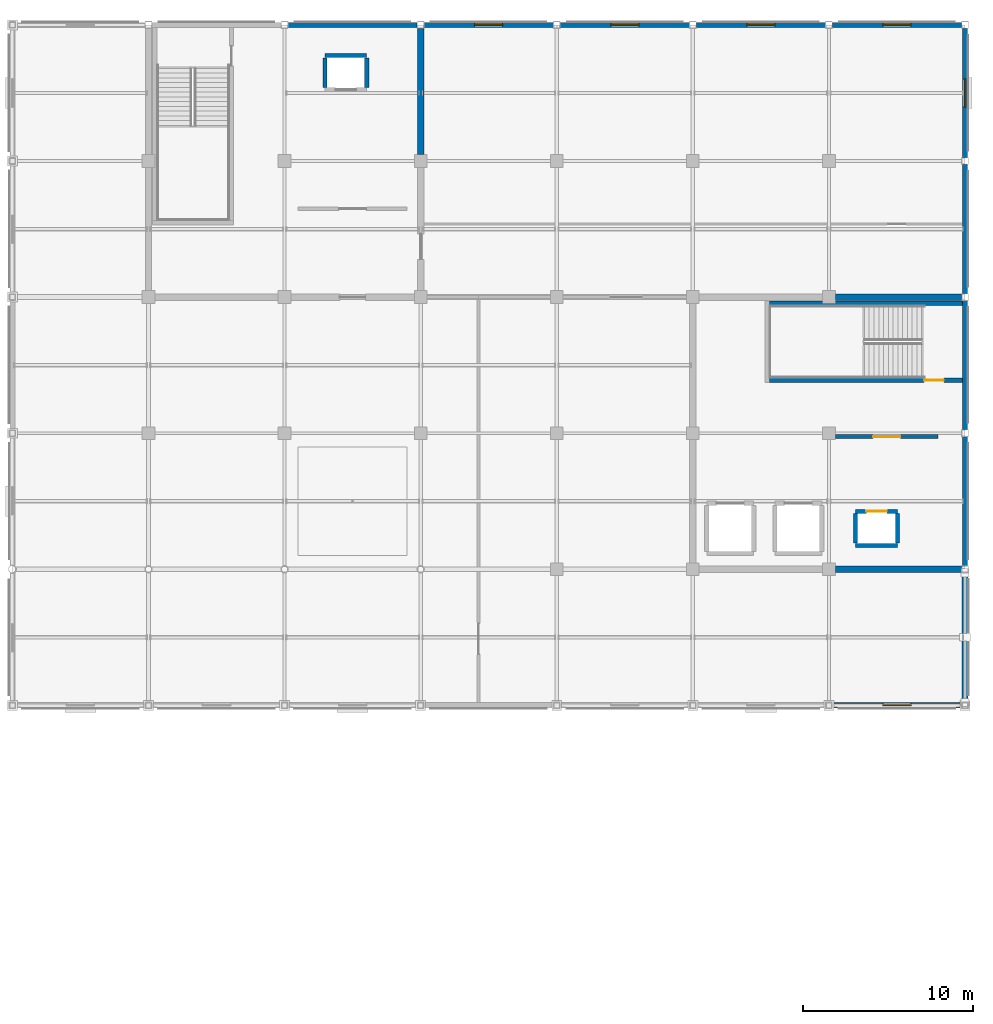
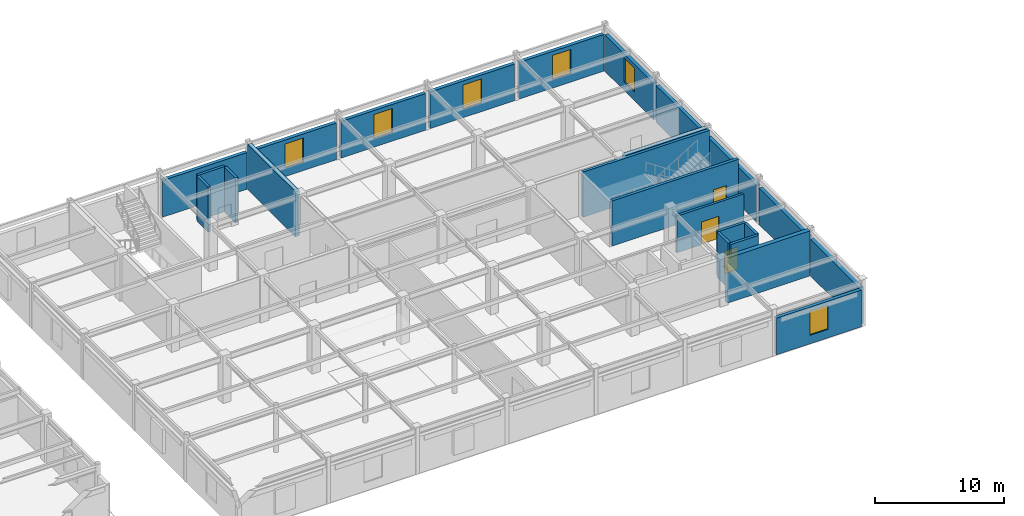
# One storey, part 64 of 93: 24 walls, 6 windows, 3 doors, 9 openings.
"""IFC4 building model written with IfcOpenShell, lengths in metres."""

from ifc_helpers import new_model, si_unit, direction, frame, frame_2d, origin, place, context, subcontext, project, spatial, rectangle, extrude, material, layer, layer_set, type_object, element, fill, save


model = new_model("IFC4")

# Units and contexts
model_context = context("Model", 3, precision=1e-05, world=origin(), true_north=direction((0.0, 1.0)))
body_context = subcontext(model_context, "Body", "Model", "MODEL_VIEW")
ifc_project = project(units=[si_unit("LENGTHUNIT", "METRE"), si_unit("AREAUNIT", "SQUARE_METRE"), si_unit("VOLUMEUNIT", "CUBIC_METRE"), si_unit("PLANEANGLEUNIT", "RADIAN"), si_unit("MASSUNIT", "GRAM", prefix="KILO")], contexts=[model_context])

# Site, building, storey
site_placement = place(None, origin())
site = spatial("IfcSite", under=ifc_project, at=site_placement, CompositionType="ELEMENT")
building_placement = place(site_placement, origin())
building = spatial("IfcBuilding", under=site, at=building_placement, Name="Solmirada Galleria", CompositionType="ELEMENT")
storey_placement = place(building_placement, frame((0.0, 0.0, 14.89990234375)))
storey = spatial("IfcBuildingStorey", under=building, at=storey_placement, Name="L03", CompositionType="ELEMENT", Elevation=14.89990234375)

# Walls
ifc_material_1 = material(Name="Concrete C40/50", Category="concrete")
ifc_layer_1 = layer(ifc_material_1, 0.3798828125)
ifc_layer_set_1 = layer_set([ifc_layer_1], Name="Concrete C40/50")
wall_type_1 = type_object("IfcWallType", Name="WL-CORE-380", PredefinedType="SHEAR", material=ifc_layer_set_1)
for number, where, z_axis, x_axis, name in (
    (1, (144.0, 112.375, 0.0), (0.0, 0.0, 1.0), (0.0, 1.0, 0.0), "Core C3 shear wall L03 E2"),
    (2, (168.375, 88.0, 0.0), (0.0, 0.0, 1.0), (1.0, 0.0, 0.0), "Core C4 shear wall L03 S2"),
    (3, (168.375, 104.0, 0.0), (0.0, 0.0, 1.0), (1.0, 0.0, 0.0), "Core C4 shear wall L03 N2"),
):
    element("IfcWall", number, at=place(storey_placement, frame(where, z_axis=z_axis, x_axis=x_axis)), inside=storey, type_object=wall_type_1, Name=name, PredefinedType="SHEAR", context=body_context, shape_type="SweptSolid", body=[
        extrude(rectangle(XDim=7.422119140625, YDim=0.3798828125, at=frame_2d((3.7109375, 0.0))), origin(), (0.0, 0.0, 1.0), 4.280029296875),
    ])

# Wall, opening, window
ifc_material_2 = material(Name="Precast concrete C40/50", Category="concrete")
ifc_layer_2 = layer(ifc_material_2, 0.31005859375)
ifc_layer_set_2 = layer_set([ifc_layer_2], Name="Precast concrete C40/50")
wall_type_2 = type_object("IfcWallType", Name="WL-EXT-310", PredefinedType="STANDARD", material=ifc_layer_set_2)
wall_1_placement = place(storey_placement, frame((152.202880859375, 120.0, 0.0), z_axis=(0.0, 0.0, 1.0), x_axis=(1.0, 0.0, 0.0)))
wall_1 = element("IfcWall", 4, at=wall_1_placement, inside=storey, type_object=wall_type_2, Name="Exterior wall L03 bay 073", PredefinedType="STANDARD", context=body_context, shape_type="SweptSolid", body=[
    extrude(rectangle(XDim=7.59423828125, YDim=0.31005859375, at=frame_2d((3.797119140625, 0.0))), origin(), (0.0, 0.0, 1.0), 3.47998046875),
])
opening_1_placement = place(wall_1_placement, frame((2.971923828125, 0.0, 0.800048828125)))
opening_1 = element("IfcOpeningElement", 5, at=opening_1_placement, cuts=wall_1, Name="Opening WN26", PredefinedType="OPENING", context=body_context, shape_type="SweptSolid", body=[
    extrude(rectangle(XDim=1.64990234375, YDim=2.300048828125, at=frame_2d((0.824951171875, 1.14990234375))), frame((0.0, 0.1650390625, 0.0), z_axis=(0.0, -1.0, 0.0), x_axis=(1.0, 0.0, 0.0)), (0.0, 0.0, 1.0), 0.330078125),
])
ifc_material_3 = material(Name="Impact-resistant low-E double glazing", Category="glass")
window_type = type_object("IfcWindowType", Name="WIN-ARCH-165X230", PartitioningType="DOUBLE_PANEL_HORIZONTAL", PredefinedType="WINDOW", material=ifc_material_3)
window_1_placement = place(opening_1_placement, origin())
window_1 = element("IfcWindow", 6, at=window_1_placement, inside=storey, type_object=window_type, Name="Window L03-097", OverallHeight=2.300048828125, OverallWidth=1.64990234375, PartitioningType="DOUBLE_PANEL_HORIZONTAL", PredefinedType="WINDOW", context=body_context, shape_type="SweptSolid", body=[
    extrude(rectangle(XDim=1.64990234375, YDim=2.300048828125, at=frame_2d((0.824951171875, 1.14990234375))), frame((0.0, 0.030029296875, 0.0), z_axis=(0.0, -1.0, 0.0), x_axis=(1.0, 0.0, 0.0)), (0.0, 0.0, 1.0), 0.06005859375),
])
fill(opening_1, window_1)

wall_2_placement = place(storey_placement, frame((160.202880859375, 120.0, 0.0), z_axis=(0.0, 0.0, 1.0), x_axis=(1.0, 0.0, 0.0)))
wall_2 = element("IfcWall", 7, at=wall_2_placement, inside=storey, type_object=wall_type_2, Name="Exterior wall L03 bay 074", PredefinedType="STANDARD", context=body_context, shape_type="SweptSolid", body=[
    extrude(rectangle(XDim=7.59423828125, YDim=0.31005859375, at=frame_2d((3.797119140625, 0.0))), origin(), (0.0, 0.0, 1.0), 3.47998046875),
])
opening_2_placement = place(wall_2_placement, frame((2.971923828125, 0.0, 0.800048828125)))
opening_2 = element("IfcOpeningElement", 8, at=opening_2_placement, cuts=wall_2, Name="Opening WN26", PredefinedType="OPENING", context=body_context, shape_type="SweptSolid", body=[
    extrude(rectangle(XDim=1.64990234375, YDim=2.300048828125, at=frame_2d((0.824951171875, 1.14990234375))), frame((0.0, 0.1650390625, 0.0), z_axis=(0.0, -1.0, 0.0), x_axis=(1.0, 0.0, 0.0)), (0.0, 0.0, 1.0), 0.330078125),
])
window_2_placement = place(opening_2_placement, origin())
window_2 = element("IfcWindow", 9, at=window_2_placement, inside=storey, type_object=window_type, Name="Window L03-098", OverallHeight=2.300048828125, OverallWidth=1.64990234375, PartitioningType="DOUBLE_PANEL_HORIZONTAL", PredefinedType="WINDOW", context=body_context, shape_type="SweptSolid", body=[
    extrude(rectangle(XDim=1.64990234375, YDim=2.300048828125, at=frame_2d((0.824951171875, 1.14990234375))), frame((0.0, 0.030029296875, 0.0), z_axis=(0.0, -1.0, 0.0), x_axis=(1.0, 0.0, 0.0)), (0.0, 0.0, 1.0), 0.06005859375),
])
fill(opening_2, window_2)

wall_3_placement = place(storey_placement, frame((168.202880859375, 120.0, 0.0), z_axis=(0.0, 0.0, 1.0), x_axis=(1.0, 0.0, 0.0)))
wall_3 = element("IfcWall", 10, at=wall_3_placement, inside=storey, type_object=wall_type_2, Name="Exterior wall L03 bay 075", PredefinedType="STANDARD", context=body_context, shape_type="SweptSolid", body=[
    extrude(rectangle(XDim=7.59423828125, YDim=0.31005859375, at=frame_2d((3.797119140625, 0.0))), origin(), (0.0, 0.0, 1.0), 3.47998046875),
])
opening_3_placement = place(wall_3_placement, frame((2.971923828125, 0.0, 0.800048828125)))
opening_3 = element("IfcOpeningElement", 11, at=opening_3_placement, cuts=wall_3, Name="Opening WN26", PredefinedType="OPENING", context=body_context, shape_type="SweptSolid", body=[
    extrude(rectangle(XDim=1.64990234375, YDim=2.300048828125, at=frame_2d((0.824951171875, 1.14990234375))), frame((0.0, 0.1650390625, 0.0), z_axis=(0.0, -1.0, 0.0), x_axis=(1.0, 0.0, 0.0)), (0.0, 0.0, 1.0), 0.330078125),
])
window_3_placement = place(opening_3_placement, origin())
window_3 = element("IfcWindow", 12, at=window_3_placement, inside=storey, type_object=window_type, Name="Window L03-099", OverallHeight=2.300048828125, OverallWidth=1.64990234375, PartitioningType="DOUBLE_PANEL_HORIZONTAL", PredefinedType="WINDOW", context=body_context, shape_type="SweptSolid", body=[
    extrude(rectangle(XDim=1.64990234375, YDim=2.300048828125, at=frame_2d((0.824951171875, 1.14990234375))), frame((0.0, 0.030029296875, 0.0), z_axis=(0.0, -1.0, 0.0), x_axis=(1.0, 0.0, 0.0)), (0.0, 0.0, 1.0), 0.06005859375),
])
fill(opening_3, window_3)

wall_4_placement = place(storey_placement, frame((176.0, 119.797119140625, 0.0), z_axis=(0.0, 0.0, 1.0), x_axis=(0.0, -1.0, 0.0)))
wall_4 = element("IfcWall", 13, at=wall_4_placement, inside=storey, type_object=wall_type_2, Name="Exterior wall L03 bay 076", PredefinedType="STANDARD", context=body_context, shape_type="SweptSolid", body=[
    extrude(rectangle(XDim=7.59423828125, YDim=0.31005859375, at=frame_2d((3.797119140625, 0.0))), origin(), (0.0, 0.0, 1.0), 3.47998046875),
])
opening_4_placement = place(wall_4_placement, frame((2.971923828125, 0.0, 0.800048828125)))
opening_4 = element("IfcOpeningElement", 14, at=opening_4_placement, cuts=wall_4, Name="Opening WN26", PredefinedType="OPENING", context=body_context, shape_type="SweptSolid", body=[
    extrude(rectangle(XDim=1.64990234375, YDim=2.300048828125, at=frame_2d((0.824951171875, 1.14990234375))), frame((0.0, 0.1650390625, 0.0), z_axis=(0.0, -1.0, 0.0), x_axis=(1.0, 0.0, 0.0)), (0.0, 0.0, 1.0), 0.330078125),
])
window_4_placement = place(opening_4_placement, origin())
window_4 = element("IfcWindow", 15, at=window_4_placement, inside=storey, type_object=window_type, Name="Window L03-100", OverallHeight=2.300048828125, OverallWidth=1.64990234375, PartitioningType="DOUBLE_PANEL_HORIZONTAL", PredefinedType="WINDOW", context=body_context, shape_type="SweptSolid", body=[
    extrude(rectangle(XDim=1.64990234375, YDim=2.300048828125, at=frame_2d((0.824951171875, 1.14990234375))), frame((0.0, 0.030029296875, 0.0), z_axis=(0.0, -1.0, 0.0), x_axis=(1.0, 0.0, 0.0)), (0.0, 0.0, 1.0), 0.06005859375),
])
fill(opening_4, window_4)

# Walls
for number, where, z_axis, x_axis, name in (
    (16, (176.0, 111.797119140625, 0.0), (0.0, 0.0, 1.0), (0.0, -1.0, 0.0), "Exterior wall L03 bay 077"),
    (17, (176.0, 103.797119140625, 0.0), (0.0, 0.0, 1.0), (0.0, -1.0, 0.0), "Exterior wall L03 bay 078"),
    (18, (176.0, 95.797119140625, 0.0), (0.0, 0.0, 1.0), (0.0, -1.0, 0.0), "Exterior wall L03 bay 079"),
):
    element("IfcWall", number, at=place(storey_placement, frame(where, z_axis=z_axis, x_axis=x_axis)), inside=storey, type_object=wall_type_2, Name=name, PredefinedType="STANDARD", context=body_context, shape_type="SweptSolid", body=[
        extrude(rectangle(XDim=7.59423828125, YDim=0.31005859375, at=frame_2d((3.797119140625, 0.0))), origin(), (0.0, 0.0, 1.0), 3.47998046875),
    ])

# Wall, opening, window
wall_5_placement = place(storey_placement, frame((175.822021484375, 80.0, 0.0), z_axis=(0.0, 0.0, 1.0), x_axis=(-1.0, 0.0, 0.0)))
wall_5 = element("IfcWall", 19, at=wall_5_placement, inside=storey, type_object=wall_type_2, Name="Exterior wall L03 bay 081", PredefinedType="STANDARD", context=body_context, shape_type="SweptSolid", body=[
    extrude(rectangle(XDim=7.64404296875, YDim=0.31005859375, at=frame_2d((3.822021484375, 0.0))), origin(), (0.0, 0.0, 1.0), 3.47998046875),
])
opening_5_placement = place(wall_5_placement, frame((2.9970703125, 0.0, 0.800048828125)))
opening_5 = element("IfcOpeningElement", 20, at=opening_5_placement, cuts=wall_5, Name="Opening WN26", PredefinedType="OPENING", context=body_context, shape_type="SweptSolid", body=[
    extrude(rectangle(XDim=1.64990234375, YDim=2.300048828125, at=frame_2d((0.824951171875, 1.14990234375))), frame((0.0, 0.1650390625, 0.0), z_axis=(0.0, -1.0, 0.0), x_axis=(1.0, 0.0, 0.0)), (0.0, 0.0, 1.0), 0.330078125),
])
window_5_placement = place(opening_5_placement, origin())
window_5 = element("IfcWindow", 21, at=window_5_placement, inside=storey, type_object=window_type, Name="Window L03-101", OverallHeight=2.300048828125, OverallWidth=1.64990234375, PartitioningType="DOUBLE_PANEL_HORIZONTAL", PredefinedType="WINDOW", context=body_context, shape_type="SweptSolid", body=[
    extrude(rectangle(XDim=1.64990234375, YDim=2.300048828125, at=frame_2d((0.824951171875, 1.14990234375))), frame((0.0, 0.030029296875, 0.0), z_axis=(0.0, -1.0, 0.0), x_axis=(1.0, 0.0, 0.0)), (0.0, 0.0, 1.0), 0.06005859375),
])
fill(opening_5, window_5)

# Wall
wall_6_placement = place(storey_placement, frame((136.202880859375, 120.0, 0.0), z_axis=(0.0, 0.0, 1.0), x_axis=(1.0, 0.0, 0.0)))
element("IfcWall", 22, at=wall_6_placement, inside=storey, type_object=wall_type_2, Name="Exterior wall L03 bay 095", PredefinedType="STANDARD", context=body_context, shape_type="SweptSolid", body=[
    extrude(rectangle(XDim=7.59423828125, YDim=0.31005859375, at=frame_2d((3.797119140625, 0.0))), origin(), (0.0, 0.0, 1.0), 3.47998046875),
])

# Wall, opening, window
wall_7_placement = place(storey_placement, frame((144.202880859375, 120.0, 0.0), z_axis=(0.0, 0.0, 1.0), x_axis=(1.0, 0.0, 0.0)))
wall_7 = element("IfcWall", 23, at=wall_7_placement, inside=storey, type_object=wall_type_2, Name="Exterior wall L03 bay 096", PredefinedType="STANDARD", context=body_context, shape_type="SweptSolid", body=[
    extrude(rectangle(XDim=7.59423828125, YDim=0.31005859375, at=frame_2d((3.797119140625, 0.0))), origin(), (0.0, 0.0, 1.0), 3.47998046875),
])
opening_6_placement = place(wall_7_placement, frame((2.971923828125, 0.0, 0.800048828125)))
opening_6 = element("IfcOpeningElement", 24, at=opening_6_placement, cuts=wall_7, Name="Opening WN26", PredefinedType="OPENING", context=body_context, shape_type="SweptSolid", body=[
    extrude(rectangle(XDim=1.64990234375, YDim=2.300048828125, at=frame_2d((0.824951171875, 1.14990234375))), frame((0.0, 0.1650390625, 0.0), z_axis=(0.0, -1.0, 0.0), x_axis=(1.0, 0.0, 0.0)), (0.0, 0.0, 1.0), 0.330078125),
])
window_6_placement = place(opening_6_placement, origin())
window_6 = element("IfcWindow", 25, at=window_6_placement, inside=storey, type_object=window_type, Name="Window L03-112", OverallHeight=2.300048828125, OverallWidth=1.64990234375, PartitioningType="DOUBLE_PANEL_HORIZONTAL", PredefinedType="WINDOW", context=body_context, shape_type="SweptSolid", body=[
    extrude(rectangle(XDim=1.64990234375, YDim=2.300048828125, at=frame_2d((0.824951171875, 1.14990234375))), frame((0.0, 0.030029296875, 0.0), z_axis=(0.0, -1.0, 0.0), x_axis=(1.0, 0.0, 0.0)), (0.0, 0.0, 1.0), 0.06005859375),
])
fill(opening_6, window_6)

# Walls
ifc_layer_3 = layer(ifc_material_1, 0.239990234375)
ifc_layer_set_3 = layer_set([ifc_layer_3], Name="Concrete C40/50")
wall_type_3 = type_object("IfcWallType", Name="WL-HOIST-240", PredefinedType="PARTITIONING", material=ifc_layer_set_3)
wall_8_placement = place(storey_placement, frame((138.3701171875, 118.205078125, 0.0), z_axis=(0.0, 0.0, 1.0), x_axis=(1.0, 0.0, 0.0)))
element("IfcWall", 26, at=wall_8_placement, inside=storey, type_object=wall_type_3, Name="Lift FL1 hoistway rear wall L03", PredefinedType="PARTITIONING", context=body_context, shape_type="SweptSolid", body=[
    extrude(rectangle(XDim=2.4599609375, YDim=0.239990234375, at=frame_2d((1.22998046875, 0.0))), origin(), (0.0, 0.0, 1.0), 4.280029296875),
])
for number, where, z_axis, x_axis, name in (
    (27, (138.3701171875, 116.3349609375, 0.0), (0.0, 0.0, 1.0), (0.0, 1.0, 0.0), "Lift FL1 hoistway side wall L L03"),
    (28, (140.830078125, 116.3349609375, 0.0), (0.0, 0.0, 1.0), (0.0, 1.0, 0.0), "Lift FL1 hoistway side wall R L03"),
):
    element("IfcWall", number, at=place(storey_placement, frame(where, z_axis=z_axis, x_axis=x_axis)), inside=storey, type_object=wall_type_3, Name=name, PredefinedType="PARTITIONING", context=body_context, shape_type="SweptSolid", body=[
        extrude(rectangle(XDim=1.72998046875, YDim=0.239990234375, at=frame_2d((0.864990234375, 0.0))), origin(), (0.0, 0.0, 1.0), 4.280029296875),
    ])

# Wall, opening, door
wall_9_placement = place(storey_placement, frame((169.570068359375, 91.405029296875, 0.0), z_axis=(0.0, 0.0, 1.0), x_axis=(1.0, 0.0, 0.0)))
wall_9 = element("IfcWall", 29, at=wall_9_placement, inside=storey, type_object=wall_type_3, Name="Lift FL2 hoistway front wall L03", PredefinedType="PARTITIONING", context=body_context, shape_type="SweptSolid", body=[
    extrude(rectangle(XDim=2.4599609375, YDim=0.239990234375, at=frame_2d((1.22998046875, 0.0))), origin(), (0.0, 0.0, 1.0), 4.280029296875),
])
opening_7_placement = place(wall_9_placement, frame((0.6298828125, 0.0, 0.0)))
opening_7 = element("IfcOpeningElement", 30, at=opening_7_placement, cuts=wall_9, Name="Opening LD-FL2-L03", PredefinedType="OPENING", context=body_context, shape_type="SweptSolid", body=[
    extrude(rectangle(XDim=1.199951171875, YDim=2.14990234375, at=frame_2d((0.60009765625, 1.074951171875))), frame((0.0, 0.1298828125, 0.0), z_axis=(0.0, -1.0, 0.0), x_axis=(1.0, 0.0, 0.0)), (0.0, 0.0, 1.0), 0.260009765625),
])
ifc_material_4 = material(Name="Brushed stainless-steel sliding landing door", Category="steel")
door_type_1 = type_object("IfcDoorType", Name="DR-LIFT-120X215", OperationType="SLIDING_TO_LEFT", PredefinedType="DOOR", material=ifc_material_4)
door_1_placement = place(opening_7_placement, origin())
door_1 = element("IfcDoor", 31, at=door_1_placement, inside=storey, type_object=door_type_1, Name="Lift FL2 sliding landing door L03", OperationType="SLIDING_TO_LEFT", OverallHeight=2.14990234375, OverallWidth=1.199951171875, PredefinedType="DOOR", context=body_context, shape_type="SweptSolid", body=[
    extrude(rectangle(XDim=1.199951171875, YDim=2.14990234375, at=frame_2d((0.60009765625, 1.074951171875))), frame((0.0, 0.02490234375, 0.0), z_axis=(0.0, -1.0, 0.0), x_axis=(1.0, 0.0, 0.0)), (0.0, 0.0, 1.0), 0.050048828125),
])
fill(opening_7, door_1)

# Walls
wall_10_placement = place(storey_placement, frame((169.570068359375, 89.39501953125, 0.0), z_axis=(0.0, 0.0, 1.0), x_axis=(1.0, 0.0, 0.0)))
element("IfcWall", 32, at=wall_10_placement, inside=storey, type_object=wall_type_3, Name="Lift FL2 hoistway rear wall L03", PredefinedType="PARTITIONING", context=body_context, shape_type="SweptSolid", body=[
    extrude(rectangle(XDim=2.4599609375, YDim=0.239990234375, at=frame_2d((1.22998046875, 0.0))), origin(), (0.0, 0.0, 1.0), 4.280029296875),
])
for number, where, z_axis, x_axis, name in (
    (33, (169.570068359375, 89.534912109375, 0.0), (0.0, 0.0, 1.0), (0.0, 1.0, 0.0), "Lift FL2 hoistway side wall L L03"),
    (34, (172.030029296875, 89.534912109375, 0.0), (0.0, 0.0, 1.0), (0.0, 1.0, 0.0), "Lift FL2 hoistway side wall R L03"),
):
    element("IfcWall", number, at=place(storey_placement, frame(where, z_axis=z_axis, x_axis=x_axis)), inside=storey, type_object=wall_type_3, Name=name, PredefinedType="PARTITIONING", context=body_context, shape_type="SweptSolid", body=[
        extrude(rectangle(XDim=1.72998046875, YDim=0.239990234375, at=frame_2d((0.864990234375, 0.0))), origin(), (0.0, 0.0, 1.0), 4.280029296875),
    ])

# Wall, opening, door
ifc_material_5 = material(Name="Fire-rated gypsum and steel-stud partition", Category="steel")
ifc_layer_4 = layer(ifc_material_5, 0.219970703125)
ifc_layer_set_4 = layer_set([ifc_layer_4], Name="Fire-rated gypsum and steel-stud partition")
wall_type_4 = type_object("IfcWallType", Name="WL-PART-220", PredefinedType="PARTITIONING", material=ifc_layer_set_4)
wall_11_placement = place(storey_placement, frame((168.39990234375, 95.800048828125, 0.0), z_axis=(0.0, 0.0, 1.0), x_axis=(1.0, 0.0, 0.0)))
wall_11 = element("IfcWall", 35, at=wall_11_placement, inside=storey, type_object=wall_type_4, Name="Firefighting lift lobby C4 smoke barrier L03", PredefinedType="PARTITIONING", context=body_context, shape_type="SweptSolid", body=[
    extrude(rectangle(XDim=6.0, YDim=0.219970703125, at=frame_2d((3.0, 0.0))), origin(), (0.0, 0.0, 1.0), 3.47998046875),
])
opening_8_placement = place(wall_11_placement, frame((2.199951171875, 0.0, 0.0)))
opening_8 = element("IfcOpeningElement", 36, at=opening_8_placement, cuts=wall_11, Name="Opening FD-214", PredefinedType="OPENING", context=body_context, shape_type="SweptSolid", body=[
    extrude(rectangle(XDim=1.60009765625, YDim=2.14990234375, at=frame_2d((0.800048828125, 1.074951171875))), frame((0.0, 0.119873046875, 0.0), z_axis=(0.0, -1.0, 0.0), x_axis=(1.0, 0.0, 0.0)), (0.0, 0.0, 1.0), 0.239990234375),
])
ifc_material_6 = material(Name="Fire-rated painted steel door assembly", Category="steel")
door_type_2 = type_object("IfcDoorType", Name="DR-FFLOB-160X215", OperationType="DOUBLE_DOOR_SINGLE_SWING", PredefinedType="DOOR", material=ifc_material_6)
door_2_placement = place(opening_8_placement, origin())
door_2 = element("IfcDoor", 37, at=door_2_placement, inside=storey, type_object=door_type_2, Name="Firefighting lift lobby internal door FD-214", OperationType="DOUBLE_DOOR_SINGLE_SWING", OverallHeight=2.14990234375, OverallWidth=1.60009765625, PredefinedType="DOOR", context=body_context, shape_type="SweptSolid", body=[
    extrude(rectangle(XDim=1.60009765625, YDim=2.14990234375, at=frame_2d((0.800048828125, 1.074951171875))), frame((0.0, 0.02490234375, 0.0), z_axis=(0.0, -1.0, 0.0), x_axis=(1.0, 0.0, 0.0)), (0.0, 0.0, 1.0), 0.050048828125),
])
fill(opening_8, door_2)

ifc_layer_5 = layer(ifc_material_1, 0.260009765625)
ifc_layer_set_5 = layer_set([ifc_layer_5], Name="Concrete C40/50")
wall_type_5 = type_object("IfcWallType", Name="WL-SHAFT-260", PredefinedType="SHEAR", material=ifc_layer_set_5)
wall_12_placement = place(storey_placement, frame((164.5, 99.1201171875, 0.0), z_axis=(0.0, 0.0, 1.0), x_axis=(1.0, 0.0, 0.0)))
wall_12 = element("IfcWall", 38, at=wall_12_placement, inside=storey, type_object=wall_type_5, Name="Stair ST4 enclosure wall L03 S", PredefinedType="SHEAR", context=body_context, shape_type="SweptSolid", body=[
    extrude(rectangle(XDim=11.35498046875, YDim=0.260009765625, at=frame_2d((5.677490234375, 0.0))), origin(), (0.0, 0.0, 1.0), 4.280029296875),
])
opening_9_placement = place(wall_12_placement, frame((9.10009765625, 0.0, 0.0)))
opening_9 = element("IfcOpeningElement", 39, at=opening_9_placement, cuts=wall_12, Name="Opening SD-213", PredefinedType="OPENING", context=body_context, shape_type="SweptSolid", body=[
    extrude(rectangle(XDim=1.14990234375, YDim=2.14990234375, at=frame_2d((0.574951171875, 1.074951171875))), frame((0.0, 0.139892578125, 0.0), z_axis=(0.0, -1.0, 0.0), x_axis=(1.0, 0.0, 0.0)), (0.0, 0.0, 1.0), 0.280029296875),
])
door_type_3 = type_object("IfcDoorType", Name="DR-STAIR-115X215", OperationType="NOTDEFINED", PredefinedType="DOOR", material=ifc_material_6)
door_3_placement = place(opening_9_placement, origin())
door_3 = element("IfcDoor", 40, at=door_3_placement, inside=storey, type_object=door_type_3, Name="Exit stair ST4 enclosure fire door SD-213", OperationType="SINGLE_SWING_RIGHT", OverallHeight=2.14990234375, OverallWidth=1.14990234375, PredefinedType="DOOR", context=body_context, shape_type="SweptSolid", body=[
    extrude(rectangle(XDim=1.14990234375, YDim=2.14990234375, at=frame_2d((0.574951171875, 1.074951171875))), frame((0.0, 0.02490234375, 0.0), z_axis=(0.0, -1.0, 0.0), x_axis=(1.0, 0.0, 0.0)), (0.0, 0.0, 1.0), 0.050048828125),
])
fill(opening_9, door_3)

# Walls
wall_13_placement = place(storey_placement, frame((164.5, 103.6298828125, 0.0), z_axis=(0.0, 0.0, 1.0), x_axis=(1.0, 0.0, 0.0)))
element("IfcWall", 41, at=wall_13_placement, inside=storey, type_object=wall_type_5, Name="Stair ST4 enclosure wall L03 N", PredefinedType="SHEAR", context=body_context, shape_type="SweptSolid", body=[
    extrude(rectangle(XDim=11.35498046875, YDim=0.260009765625, at=frame_2d((5.677490234375, 0.0))), origin(), (0.0, 0.0, 1.0), 4.280029296875),
])
ifc_material_7 = material(Name="Architectural concrete masonry C30/37", Category="masonry")
ifc_layer_6 = layer(ifc_material_7, 0.360107421875)
ifc_layer_set_6 = layer_set([ifc_layer_6], Name="Architectural concrete masonry C30/37")
wall_type_6 = type_object("IfcWallType", Name="WL-SOLID-360", PredefinedType="SOLIDWALL", material=ifc_layer_set_6)
wall_14_placement = place(storey_placement, frame((176.0, 87.797119140625, 0.0), z_axis=(0.0, 0.0, 1.0), x_axis=(0.0, -1.0, 0.0)))
element("IfcWall", 42, at=wall_14_placement, inside=storey, type_object=wall_type_6, Name="Exterior wall L03 bay 080", PredefinedType="SOLIDWALL", context=body_context, shape_type="SweptSolid", body=[
    extrude(rectangle(XDim=7.619140625, YDim=0.360107421875, at=frame_2d((3.8095703125, 0.0))), origin(), (0.0, 0.0, 1.0), 3.47998046875),
])

save(model, "model.ifc")
